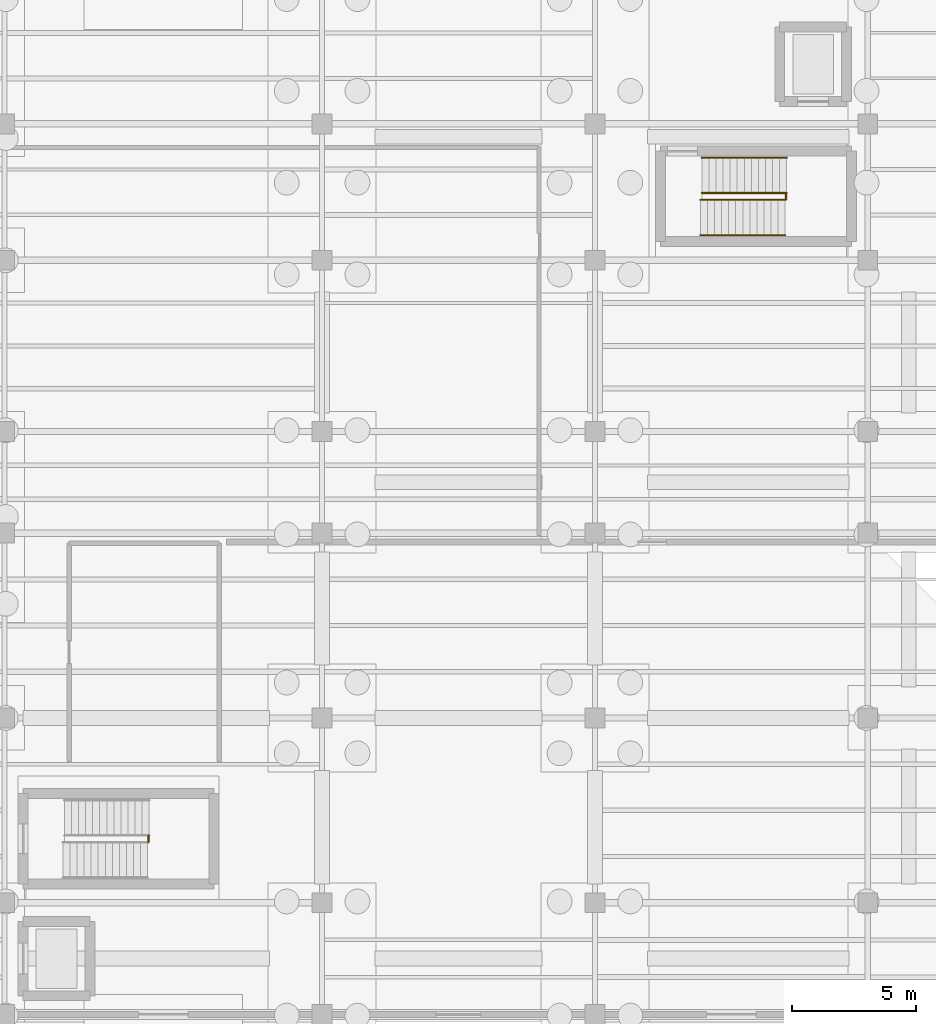
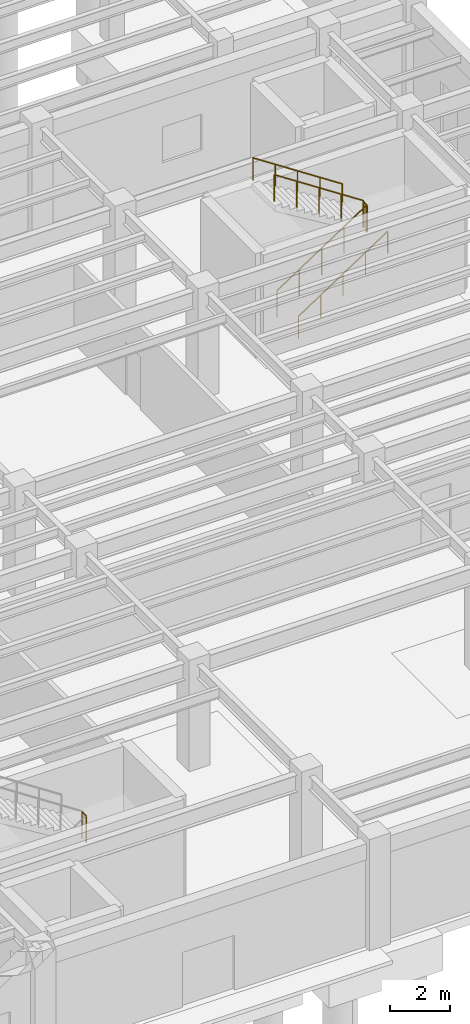
# One storey, part 40 of 41: 6 railings.
"""IFC4 building model written with IfcOpenShell, lengths in metres."""

import ifcopenshell
import ifcopenshell.guid

model = None  # the IFC model being written
_history = None  # IfcOwnerHistory: only IFC2X3 demands one
_inside = {}  # id of a spatial element -> (the spatial element, [elements in it])
_under = {}  # id of a project, library or spatial element -> (it, [spatial elements below it])
_declared = {}  # id of a project -> (the project, [libraries it declares])
_typed = {}  # id of a type object -> (the type object, [elements of that type])
_made_of = {}  # id of a material, layer set ... -> (it, [elements and type objects made of it])


def new_model(schema):
    """Start an empty IFC model of exactly this schema.

    Asked for "IFC4X3", IfcOpenShell would pick the latest addendum, in which some entities
    have other attributes; the version numbers below select the first issue.
    IFC2X3 requires an IfcOwnerHistory on every rooted entity: one is made here for all.
    """
    global model, _history
    if schema == "IFC4X3":
        model = ifcopenshell.file(schema_version=(4, 3, 0, 0))
    else:
        model = ifcopenshell.file(schema=schema)
    _inside.clear()
    _under.clear()
    _declared.clear()
    _typed.clear()
    _made_of.clear()
    _history = None
    if model.schema == "IFC2X3":
        org = make("IfcOrganization", Name="unknown")
        user = make(
            "IfcPersonAndOrganization",
            ThePerson=make("IfcPerson", FamilyName="unknown"),
            TheOrganization=org,
        )
        app = make(
            "IfcApplication",
            ApplicationDeveloper=org,
            Version="unknown",
            ApplicationFullName="unknown",
            ApplicationIdentifier="unknown",
        )
        _history = make(
            "IfcOwnerHistory",
            OwningUser=user,
            OwningApplication=app,
            ChangeAction="ADDED",
            CreationDate=0,
        )
    return model


def make(cls, **values):
    """One entity of the class cls with the attributes given. An attribute that is None is left unset."""
    return model.create_entity(
        cls, **{name: value for name, value in values.items() if value is not None}
    )


def rooted(cls, **values):
    """An entity with a GlobalId (a new one), such as an element, a storey or a relation."""
    return make(cls, GlobalId=ifcopenshell.guid.new(), OwnerHistory=_history, **values)


def si_unit(unit_type, name, prefix=None):
    """IfcSIUnit, for example si_unit("LENGTHUNIT", "METRE", prefix="MILLI")."""
    return make("IfcSIUnit", UnitType=unit_type, Prefix=prefix, Name=name)


def assignment(units):
    """IfcUnitAssignment: the units of a project."""
    return None if units is None else make("IfcUnitAssignment", Units=units)


def point(xyz):
    """IfcCartesianPoint."""
    return None if xyz is None else make("IfcCartesianPoint", Coordinates=xyz)


def direction(xyz):
    """IfcDirection."""
    return None if xyz is None else make("IfcDirection", DirectionRatios=xyz)


def frame(location, z_axis=None, x_axis=None):
    """IfcAxis2Placement3D, a coordinate frame: its origin and axes. An axis left out is left unset."""
    return make(
        "IfcAxis2Placement3D",
        Location=point(location),
        Axis=direction(z_axis),
        RefDirection=direction(x_axis),
    )


def frame_2d(location, x_axis=None):
    """IfcAxis2Placement2D, a coordinate frame in the plane: its origin and x axis."""
    return make(
        "IfcAxis2Placement2D", Location=point(location), RefDirection=direction(x_axis)
    )


def origin():
    """The frame at (0, 0, 0) with its axes left unset."""
    return frame((0.0, 0.0, 0.0))


def origin_2d():
    """The frame at (0, 0) in the plane with its x axis left unset."""
    return frame_2d((0.0, 0.0))


def place(relative_to, where):
    """IfcLocalPlacement: puts the frame where relative to a parent placement (None: the world)."""
    return make(
        "IfcLocalPlacement", PlacementRelTo=relative_to, RelativePlacement=where
    )


def context(
    kind, dimensions, precision=None, world=None, true_north=None, identifier=None
):
    """IfcGeometricRepresentationContext, for example the 3D "Model" context."""
    return make(
        "IfcGeometricRepresentationContext",
        ContextIdentifier=identifier,
        ContextType=kind,
        CoordinateSpaceDimension=dimensions,
        Precision=precision,
        WorldCoordinateSystem=world,
        TrueNorth=true_north,
    )


def subcontext(parent, identifier, kind, view, scale=None):
    """IfcGeometricRepresentationSubContext, for example "Body" below "Model"."""
    return make(
        "IfcGeometricRepresentationSubContext",
        ContextIdentifier=identifier,
        ContextType=kind,
        ParentContext=parent,
        TargetScale=scale,
        TargetView=view,
    )


def project(units=None, contexts=None):
    """IfcProject with its units and contexts."""
    return rooted(
        "IfcProject",
        Name="project",
        RepresentationContexts=contexts,
        UnitsInContext=assignment(units),
    )


def spatial(cls, under=None, at=None, **own):
    """A site, building, storey or space (cls), placed at a placement, below another one or the project."""
    s = rooted(cls, ObjectPlacement=at, **own)
    if under is not None:
        _under.setdefault(under.id(), (under, []))[1].append(s)
    return s


def profile(cls, at=None, kind="AREA", **sizes):
    """A parametric profile (cls). Its sizes go by their IFC names, for example OverallWidth=200.0."""
    return make(cls, ProfileType=kind, Position=at, **sizes)


def circle(**sizes):
    """IfcCircleProfileDef."""
    return profile("IfcCircleProfileDef", **sizes)


def extrude(swept, where, along, depth):
    """IfcExtrudedAreaSolid: the profile swept, set in the frame where, extruded along a direction by depth."""
    return make(
        "IfcExtrudedAreaSolid",
        SweptArea=swept,
        Position=where,
        ExtrudedDirection=direction(along),
        Depth=depth,
    )


def shape(context_of_items, identifier, shape_type, items):
    """IfcShapeRepresentation: the items that make up one representation, for example the "Body"."""
    return make(
        "IfcShapeRepresentation",
        ContextOfItems=context_of_items,
        RepresentationIdentifier=identifier,
        RepresentationType=shape_type,
        Items=items,
    )


def material(Name=None, Category=None):
    """IfcMaterial."""
    return make("IfcMaterial", Name=Name, Category=Category)


def made_of(thing, what):
    """Note that an element or type object is made of a material, layer set ...; save() writes the relation."""
    if what is not None:
        _made_of.setdefault(what.id(), (what, []))[1].append(thing)
    return thing


def type_object(cls, material=None, **own):
    """A type object (cls), such as IfcWallType, which elements share."""
    return made_of(rooted(cls, **own), material)


def element(
    cls,
    number,
    at=None,
    inside=None,
    cuts=None,
    type_object=None,
    material=None,
    context=None,
    identifier="Body",
    shape_type=None,
    held_by="IfcProductDefinitionShape",
    body=None,
    shapes=None,
    **own,
):
    """One element of the class cls, such as IfcWall. Its Tag is "e" and its number.

    at: its placement. inside: the storey or other place that contains it. cuts: it is an
    opening in that element (IfcRelVoidsElement). A single representation is given by context,
    identifier, shape_type and body (its items); several are given by shapes. held_by: the class
    of the entity that holds the representations. save() writes the other relations.
    """
    e = rooted(cls, Tag="e%d" % number, ObjectPlacement=at, **own)
    if body is not None:
        shapes = [shape(context, identifier, shape_type, body)]
    if shapes is not None:
        e.Representation = make(held_by, Representations=shapes)
    if inside is not None:
        _inside.setdefault(inside.id(), (inside, []))[1].append(e)
    if cuts is not None:
        rooted(
            "IfcRelVoidsElement", RelatingBuildingElement=cuts, RelatedOpeningElement=e
        )
    if type_object is not None:
        _typed.setdefault(type_object.id(), (type_object, []))[1].append(e)
    return made_of(e, material)


def aggregate(whole, parts):
    """IfcRelAggregates: a whole, such as a stair, and the parts it consists of."""
    return rooted("IfcRelAggregates", RelatingObject=whole, RelatedObjects=parts)


def save(model, path):
    """Write the relations noted so far, then the file.

    IfcRelAggregates (storeys below a building ...), IfcRelContainedInSpatialStructure (elements
    in a storey), IfcRelDefinesByType, IfcRelAssociatesMaterial and IfcRelDeclares: one each for
    every whole, place, type object, material and project.
    """
    for whole, parts in _under.values():
        aggregate(whole, parts)
    for where, things in _inside.values():
        rooted(
            "IfcRelContainedInSpatialStructure",
            RelatedElements=things,
            RelatingStructure=where,
        )
    for kind, things in _typed.values():
        rooted("IfcRelDefinesByType", RelatedObjects=things, RelatingType=kind)
    for what, things in _made_of.values():
        rooted("IfcRelAssociatesMaterial", RelatedObjects=things, RelatingMaterial=what)
    for by, libraries in _declared.values():
        rooted("IfcRelDeclares", RelatingContext=by, RelatedDefinitions=libraries)
    model.write(path)


model = new_model("IFC4")

# Units and contexts
model_context = context("Model", 3, precision=1e-05, world=origin(), true_north=direction((0.0, 1.0)))
body_context = subcontext(model_context, "Body", "Model", "MODEL_VIEW")
ifc_project = project(units=[si_unit("LENGTHUNIT", "METRE"), si_unit("AREAUNIT", "SQUARE_METRE"), si_unit("VOLUMEUNIT", "CUBIC_METRE"), si_unit("PLANEANGLEUNIT", "RADIAN"), si_unit("MASSUNIT", "GRAM", prefix="KILO")], contexts=[model_context])

# Site, building, storey
site_placement = place(None, origin())
site = spatial("IfcSite", under=ifc_project, at=site_placement, CompositionType="ELEMENT")
building_placement = place(site_placement, origin())
building = spatial("IfcBuilding", under=site, at=building_placement, Name="Candilejo Ridge Gondola Terminal", CompositionType="ELEMENT")
storey_placement = place(building_placement, origin())
storey = spatial("IfcBuildingStorey", under=building, at=storey_placement, Name="L00", CompositionType="ELEMENT", Elevation=0.0)

# Railings
ifc_material_1 = material(Name="Hot-dip galvanised steel ASTM A500 Grade B", Category="steel")
railing_type_1 = type_object("IfcRailingType", Name="ARC-STAIR-GUARD-1100", PredefinedType="GUARDRAIL", material=ifc_material_1)
railing_1_placement = place(storey_placement, frame((143.0, 13.235107421875, 2.25)))
element("IfcRailing", 1, at=railing_1_placement, inside=storey, type_object=railing_type_1, Name="Half-landing slot guard ST-V4A-LND-01", PredefinedType="GUARDRAIL", context=body_context, shape_type="SweptSolid", body=[
    extrude(circle(Radius=0.02392578125, at=origin_2d()), frame((0.0, 0.0, 1.076171875), z_axis=(0.0, 1.0, 0.0), x_axis=(-1.0, 0.0, 0.0)), (0.0, 0.0, 1.0), 0.27978515625),
    extrude(circle(Radius=0.02099609375, at=origin_2d()), origin(), (0.0, 0.0, 1.0), 1.052001953125),
    extrude(circle(Radius=0.02099609375, at=origin_2d()), frame((0.0, 0.27978515625, 0.0)), (0.0, 0.0, 1.0), 1.052001953125),
])
railing_2_placement = place(storey_placement, frame((165.25, 39.135009765625, 0.0)))
element("IfcRailing", 2, at=railing_2_placement, inside=storey, type_object=railing_type_1, Name="Flight well guard ST-V4B-F01", PredefinedType="GUARDRAIL", context=body_context, shape_type="SweptSolid", body=[
    extrude(circle(Radius=0.02392578125, at=origin_2d()), frame((0.0, 0.0, 1.076171875), z_axis=(0.835411317272, 0.0, 0.549625264133), x_axis=(0.0, 1.0, 0.0)), (0.0, 0.0, 1.0), 4.09375),
    extrude(circle(Radius=0.02099609375, at=origin_2d()), origin(), (0.0, 0.0, 1.0), 1.052001953125),
    extrude(circle(Radius=0.02099609375, at=origin_2d()), frame((0.85498046875, 0.0, 0.5625)), (0.0, 0.0, 1.0), 1.052001953125),
    extrude(circle(Radius=0.02099609375, at=origin_2d()), frame((1.7099609375, 0.0, 1.125)), (0.0, 0.0, 1.0), 1.052001953125),
    extrude(circle(Radius=0.02099609375, at=origin_2d()), frame((2.56494140625, 0.0, 1.6875)), (0.0, 0.0, 1.0), 1.052001953125),
    extrude(circle(Radius=0.02099609375, at=origin_2d()), frame((3.419921875, 0.0, 2.25)), (0.0, 0.0, 1.0), 1.052001953125),
])
railing_3_placement = place(storey_placement, frame((168.699951171875, 39.135009765625, 2.25)))
element("IfcRailing", 3, at=railing_3_placement, inside=storey, type_object=railing_type_1, Name="Half-landing slot guard ST-V4B-LND-01", PredefinedType="GUARDRAIL", context=body_context, shape_type="SweptSolid", body=[
    extrude(circle(Radius=0.02392578125, at=origin_2d()), frame((0.0, 0.0, 1.076171875), z_axis=(0.0, 1.0, 0.0), x_axis=(-1.0, 0.0, 0.0)), (0.0, 0.0, 1.0), 0.280029296875),
    extrude(circle(Radius=0.02099609375, at=origin_2d()), origin(), (0.0, 0.0, 1.0), 1.052001953125),
    extrude(circle(Radius=0.02099609375, at=origin_2d()), frame((0.0, 0.280029296875, 0.0)), (0.0, 0.0, 1.0), 1.052001953125),
])
railing_4_placement = place(storey_placement, frame((168.72998046875, 39.4150390625, 2.25)))
element("IfcRailing", 4, at=railing_4_placement, inside=storey, type_object=railing_type_1, Name="Flight well guard ST-V4B-F02", PredefinedType="GUARDRAIL", context=body_context, shape_type="SweptSolid", body=[
    extrude(circle(Radius=0.02392578125, at=origin_2d()), frame((0.0, 0.0, 1.076171875), z_axis=(-0.835411317272, 0.0, 0.549625264133), x_axis=(0.0, -1.0, 0.0)), (0.0, 0.0, 1.0), 4.09375),
    extrude(circle(Radius=0.02099609375, at=origin_2d()), origin(), (0.0, 0.0, 1.0), 1.052001953125),
    extrude(circle(Radius=0.02099609375, at=origin_2d()), frame((-0.85498046875, 0.0, 0.5625)), (0.0, 0.0, 1.0), 1.052001953125),
    extrude(circle(Radius=0.02099609375, at=origin_2d()), frame((-1.7099609375, 0.0, 1.125)), (0.0, 0.0, 1.0), 1.052001953125),
    extrude(circle(Radius=0.02099609375, at=origin_2d()), frame((-2.56494140625, 0.0, 1.6875)), (0.0, 0.0, 1.0), 1.052001953125),
    extrude(circle(Radius=0.02099609375, at=origin_2d()), frame((-3.419921875, 0.0, 2.25)), (0.0, 0.0, 1.0), 1.052001953125),
])
ifc_material_2 = material(Name="Brushed stainless steel AISI 316", Category="steel")
railing_type_2 = type_object("IfcRailingType", Name="ARC-STAIR-HANDRAIL-920", PredefinedType="HANDRAIL", material=ifc_material_2)
railing_5_placement = place(storey_placement, frame((165.25, 37.715087890625, 0.0)))
element("IfcRailing", 5, at=railing_5_placement, inside=storey, type_object=railing_type_2, Name="Wall handrail ST-V4B-F01", PredefinedType="HANDRAIL", context=body_context, shape_type="SweptSolid", body=[
    extrude(circle(Radius=0.02392578125, at=origin_2d()), frame((0.0, 0.0, 0.89599609375), z_axis=(0.835411317272, 0.0, 0.549625264133), x_axis=(0.0, 1.0, 0.0)), (0.0, 0.0, 1.0), 4.09375),
    extrude(circle(Radius=0.02099609375, at=origin_2d()), origin(), (0.0, 0.0, 1.0), 0.871826171875),
    extrude(circle(Radius=0.02099609375, at=origin_2d()), frame((0.85498046875, 0.0, 0.5625)), (0.0, 0.0, 1.0), 0.871826171875),
    extrude(circle(Radius=0.02099609375, at=origin_2d()), frame((1.7099609375, 0.0, 1.125)), (0.0, 0.0, 1.0), 0.871826171875),
    extrude(circle(Radius=0.02099609375, at=origin_2d()), frame((2.56494140625, 0.0, 1.6875)), (0.0, 0.0, 1.0), 0.871826171875),
    extrude(circle(Radius=0.02099609375, at=origin_2d()), frame((3.419921875, 0.0, 2.25)), (0.0, 0.0, 1.0), 0.871826171875),
])
railing_6_placement = place(storey_placement, frame((168.72998046875, 40.8349609375, 2.25)))
element("IfcRailing", 6, at=railing_6_placement, inside=storey, type_object=railing_type_2, Name="Wall handrail ST-V4B-F02", PredefinedType="HANDRAIL", context=body_context, shape_type="SweptSolid", body=[
    extrude(circle(Radius=0.02392578125, at=origin_2d()), frame((0.0, 0.0, 0.89599609375), z_axis=(-0.835411317272, 0.0, 0.549625264133), x_axis=(0.0, -1.0, 0.0)), (0.0, 0.0, 1.0), 4.09375),
    extrude(circle(Radius=0.02099609375, at=origin_2d()), origin(), (0.0, 0.0, 1.0), 0.871826171875),
    extrude(circle(Radius=0.02099609375, at=origin_2d()), frame((-0.85498046875, 0.0, 0.5625)), (0.0, 0.0, 1.0), 0.871826171875),
    extrude(circle(Radius=0.02099609375, at=origin_2d()), frame((-1.7099609375, 0.0, 1.125)), (0.0, 0.0, 1.0), 0.871826171875),
    extrude(circle(Radius=0.02099609375, at=origin_2d()), frame((-2.56494140625, 0.0, 1.6875)), (0.0, 0.0, 1.0), 0.871826171875),
    extrude(circle(Radius=0.02099609375, at=origin_2d()), frame((-3.419921875, 0.0, 2.25)), (0.0, 0.0, 1.0), 0.871826171875),
])

save(model, "model.ifc")
